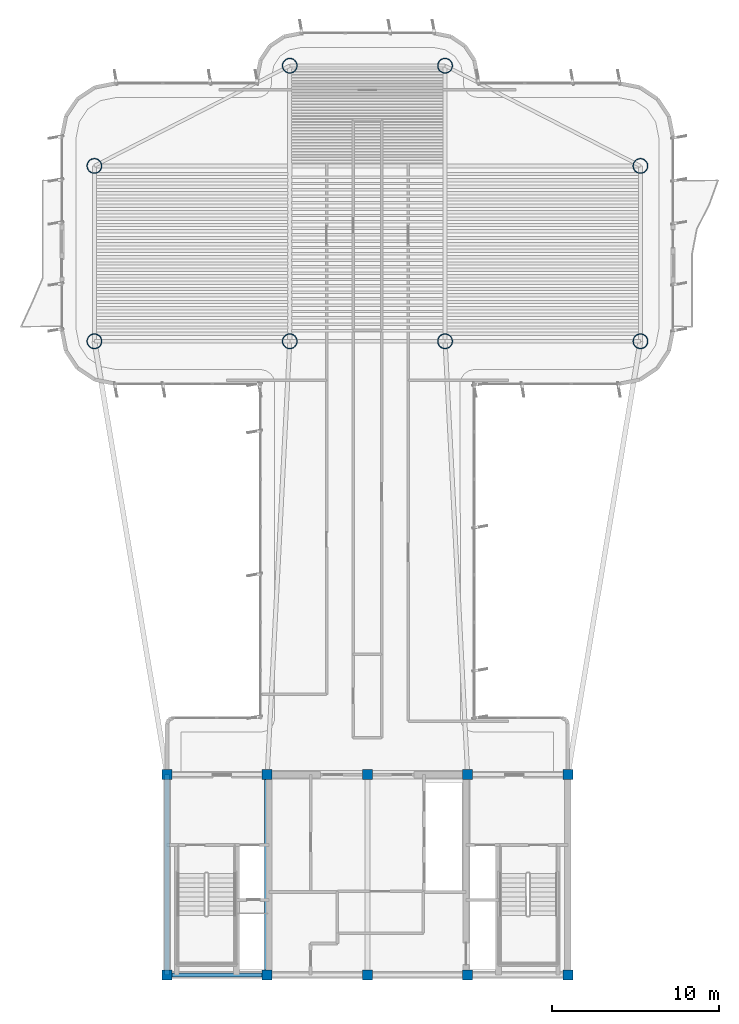
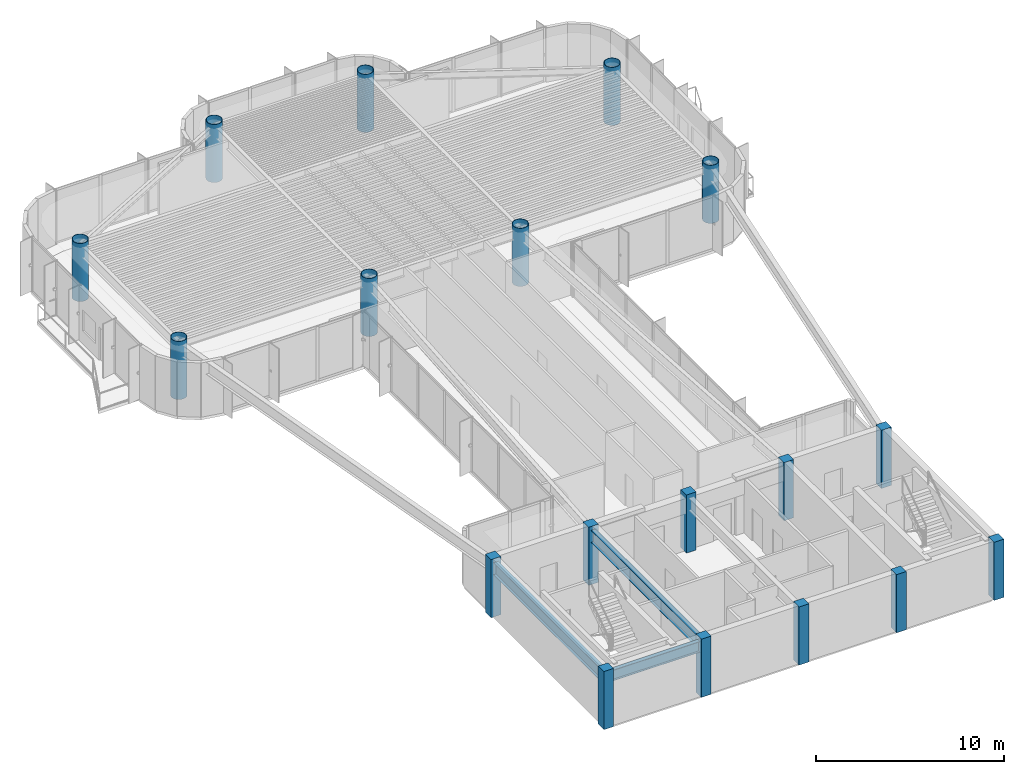
# One storey, part 1 of 14: 18 columns, 3 beams.
"""IFC4 building model written with IfcOpenShell, lengths in metres."""

from ifc_helpers import new_model, si_unit, direction, frame, origin, origin_2d, place, context, subcontext, project, spatial, rectangle, hollow_circle, i_section, extrude, source, transform, mapped, material, material_profile, profile_set, type_object, element, save


model = new_model("IFC4")

# Units and contexts
model_context = context("Model", 3, precision=1e-05, world=origin(), true_north=direction((0.0, 1.0)))
body_context = subcontext(model_context, "Body", "Model", "MODEL_VIEW")
ifc_project = project(units=[si_unit("LENGTHUNIT", "METRE"), si_unit("AREAUNIT", "SQUARE_METRE"), si_unit("VOLUMEUNIT", "CUBIC_METRE"), si_unit("PLANEANGLEUNIT", "RADIAN"), si_unit("MASSUNIT", "GRAM", prefix="KILO")], contexts=[model_context])

# Site, building, storey
site_placement = place(None, origin())
site = spatial("IfcSite", under=ifc_project, at=site_placement, CompositionType="ELEMENT")
building_placement = place(site_placement, origin())
building = spatial("IfcBuilding", under=site, at=building_placement, Name="Brelvock Crest Care Tower", CompositionType="ELEMENT")
storey_placement = place(building_placement, frame((0.0, 0.0, 253.260009765625)))
storey = spatial("IfcBuildingStorey", under=building, at=storey_placement, Name="L64", CompositionType="ELEMENT", Elevation=253.260009765625)

# Columns
ifc_material_1 = material(Name="Concrete S65 (65 MPa)", Category="concrete")
ifc_material_profile_1 = material_profile(ifc_material_1, rectangle(XDim=0.60009765625, YDim=0.60009765625, at=origin_2d()), Name="RC600x600")
ifc_profile_set_1 = profile_set([ifc_material_profile_1], Name="Concrete S65 (65 MPa)")
column_type_1 = type_object("IfcColumnType", Name="COL-RC4", PredefinedType="COLUMN", material=ifc_profile_set_1)
shared_shape_1 = source(origin(), body_context, "Body", "SweptSolid", [
    extrude(rectangle(XDim=0.60009765625, YDim=0.60009765625, at=origin_2d()), origin(), (0.0, 0.0, 1.0), 3.780029296875),
])
for number, where, z_axis, x_axis, name in (
    (1, (24.0, 6.0, 0.0), (0.0, 0.0, 1.0), (1.0, 0.0, 0.0), "L64 Core Column CC-01"),
    (2, (30.0, 6.0, 0.0), (0.0, 0.0, 1.0), (1.0, 0.0, 0.0), "L64 Core Column CC-02"),
    (3, (36.0, 6.0, 0.0), (0.0, 0.0, 1.0), (1.0, 0.0, 0.0), "L64 Core Column CC-03"),
    (4, (42.0, 6.0, 0.0), (0.0, 0.0, 1.0), (1.0, 0.0, 0.0), "L64 Core Column CC-04"),
    (5, (48.0, 6.0, 0.0), (0.0, 0.0, 1.0), (1.0, 0.0, 0.0), "L64 Core Column CC-05"),
    (6, (24.0, 18.0, 0.0), (0.0, 0.0, 1.0), (1.0, 0.0, 0.0), "L64 Core Column CC-06"),
    (7, (30.0, 18.0, 0.0), (0.0, 0.0, 1.0), (1.0, 0.0, 0.0), "L64 Core Column CC-07"),
    (8, (36.0, 18.0, 0.0), (0.0, 0.0, 1.0), (1.0, 0.0, 0.0), "L64 Core Column CC-08"),
    (9, (42.0, 18.0, 0.0), (0.0, 0.0, 1.0), (1.0, 0.0, 0.0), "L64 Core Column CC-09"),
    (10, (48.0, 18.0, 0.0), (0.0, 0.0, 1.0), (1.0, 0.0, 0.0), "L64 Core Column CC-10"),
):
    element("IfcColumn", number, at=place(storey_placement, frame(where, z_axis=z_axis, x_axis=x_axis)), inside=storey, type_object=column_type_1, Name=name, PredefinedType="COLUMN", context=body_context, shape_type="MappedRepresentation", body=[
        mapped(shared_shape_1, transform((0.0, 0.0, 0.0), x_axis=(1.0, 0.0, 0.0), y_axis=(0.0, 1.0, 0.0), z_axis=(0.0, 0.0, 1.0), scale=1.0)),
    ])
ifc_material_2 = material(Name="Steel Grade 350", Category="steel")
ifc_material_profile_2 = material_profile(ifc_material_2, hollow_circle(Radius=0.449951171875, WallThickness=0.031982421875, at=origin_2d()), Name="CFT900x32")
ifc_profile_set_2 = profile_set([ifc_material_profile_2], Name="Steel Grade 350")
column_type_2 = type_object("IfcColumnType", Name="COL-MC4", PredefinedType="COLUMN", material=ifc_profile_set_2)
shared_shape_2 = source(origin(), body_context, "Body", "SweptSolid", [
    extrude(hollow_circle(Radius=0.449951171875, WallThickness=0.031982421875, at=origin_2d()), origin(), (0.0, 0.0, 1.0), 3.780029296875),
])
for number, where, z_axis, x_axis, name in (
    (11, (19.64990234375, 43.949951171875, 0.0), (0.0, 0.0, 1.0), (1.0, 0.0, 0.0), "L64 Tower Column M1"),
    (12, (19.64990234375, 54.449951171875, 0.0), (0.0, 0.0, 1.0), (1.0, 0.0, 0.0), "L64 Tower Column M2"),
    (13, (52.35009765625, 43.949951171875, 0.0), (0.0, 0.0, 1.0), (1.0, 0.0, 0.0), "L64 Tower Column M3"),
    (14, (52.35009765625, 54.449951171875, 0.0), (0.0, 0.0, 1.0), (1.0, 0.0, 0.0), "L64 Tower Column M4"),
    (15, (31.35009765625, 43.949951171875, 0.0), (0.0, 0.0, 1.0), (1.0, 0.0, 0.0), "L64 Tower Column M5"),
    (16, (40.64990234375, 43.949951171875, 0.0), (0.0, 0.0, 1.0), (1.0, 0.0, 0.0), "L64 Tower Column M6"),
    (17, (31.35009765625, 60.449951171875, 0.0), (0.0, 0.0, 1.0), (1.0, 0.0, 0.0), "L64 Tower Column M7"),
    (18, (40.64990234375, 60.449951171875, 0.0), (0.0, 0.0, 1.0), (1.0, 0.0, 0.0), "L64 Tower Column M8"),
):
    element("IfcColumn", number, at=place(storey_placement, frame(where, z_axis=z_axis, x_axis=x_axis)), inside=storey, type_object=column_type_2, Name=name, PredefinedType="COLUMN", context=body_context, shape_type="MappedRepresentation", body=[
        mapped(shared_shape_2, transform((0.0, 0.0, 0.0), x_axis=(1.0, 0.0, 0.0), y_axis=(0.0, 1.0, 0.0), z_axis=(0.0, 0.0, 1.0), scale=1.0)),
    ])

# Beams
ifc_material_profile_3 = material_profile(ifc_material_2, i_section(OverallWidth=0.25, OverallDepth=0.699951171875, WebThickness=0.011962890625, FlangeThickness=0.02001953125, at=origin_2d()), Name="700WB150")
ifc_profile_set_3 = profile_set([ifc_material_profile_3], Name="Steel Grade 350")
beam_type_1 = type_object("IfcBeamType", Name="BM-G4", PredefinedType="BEAM", material=ifc_profile_set_3)
shared_shape_3 = source(origin(), body_context, "Body", "SweptSolid", [
    extrude(i_section(OverallWidth=0.25, OverallDepth=0.699951171875, WebThickness=0.011962890625, FlangeThickness=0.02001953125, at=origin_2d()), origin(), (0.0, 0.0, 1.0), 6.0),
])
beam_placement = place(storey_placement, frame((24.0, 6.0, 3.179931640625), z_axis=(1.0, 0.0, 0.0), x_axis=(0.0, 1.0, 0.0)))
element("IfcBeam", 19, at=beam_placement, inside=storey, type_object=beam_type_1, Name="BM-CORES-L64-1", PredefinedType="BEAM", context=body_context, shape_type="MappedRepresentation", body=[
    mapped(shared_shape_3, transform((0.0, 0.0, 0.0), x_axis=(1.0, 0.0, 0.0), y_axis=(0.0, 1.0, 0.0), z_axis=(0.0, 0.0, 1.0), scale=1.0)),
])
ifc_material_profile_4 = material_profile(ifc_material_2, i_section(OverallWidth=0.300048828125, OverallDepth=0.800048828125, WebThickness=0.013916015625, FlangeThickness=0.02197265625, at=origin_2d()), Name="800WB192")
ifc_profile_set_4 = profile_set([ifc_material_profile_4], Name="Steel Grade 350")
beam_type_2 = type_object("IfcBeamType", Name="BM-G5", PredefinedType="BEAM", material=ifc_profile_set_4)
shared_shape_4 = source(origin(), body_context, "Body", "SweptSolid", [
    extrude(i_section(OverallWidth=0.300048828125, OverallDepth=0.800048828125, WebThickness=0.013916015625, FlangeThickness=0.02197265625, at=origin_2d()), origin(), (0.0, 0.0, 1.0), 12.0),
])
for number, where, z_axis, x_axis, name in (
    (20, (24.0, 6.0, 3.1298828125), (0.0, 1.0, 0.0), (-1.0, 0.0, 0.0), "BM-COREX-L64-1"),
    (21, (30.0, 6.0, 3.1298828125), (0.0, 1.0, 0.0), (-1.0, 0.0, 0.0), "BM-COREX-L64-2"),
):
    element("IfcBeam", number, at=place(storey_placement, frame(where, z_axis=z_axis, x_axis=x_axis)), inside=storey, type_object=beam_type_2, Name=name, PredefinedType="BEAM", context=body_context, shape_type="MappedRepresentation", body=[
        mapped(shared_shape_4, transform((0.0, 0.0, 0.0), x_axis=(1.0, 0.0, 0.0), y_axis=(0.0, 1.0, 0.0), z_axis=(0.0, 0.0, 1.0), scale=1.0)),
    ])

save(model, "model.ifc")
